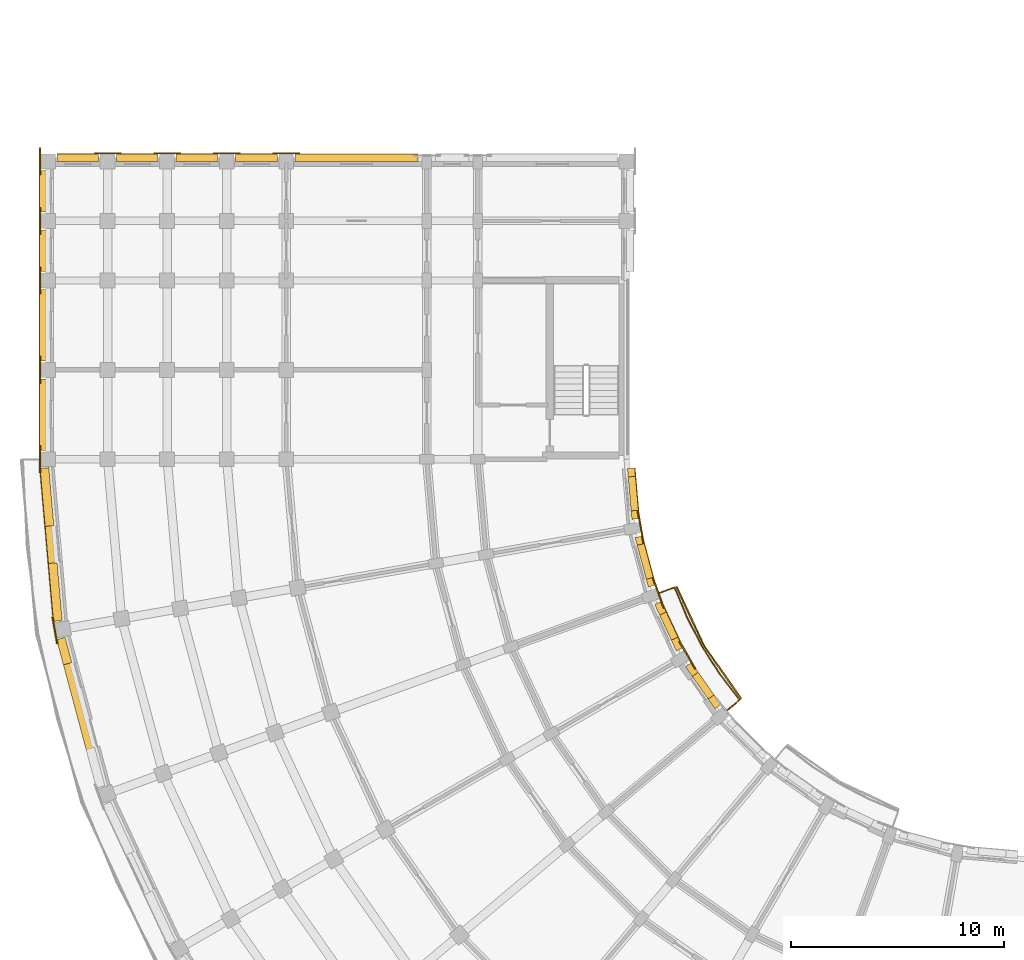
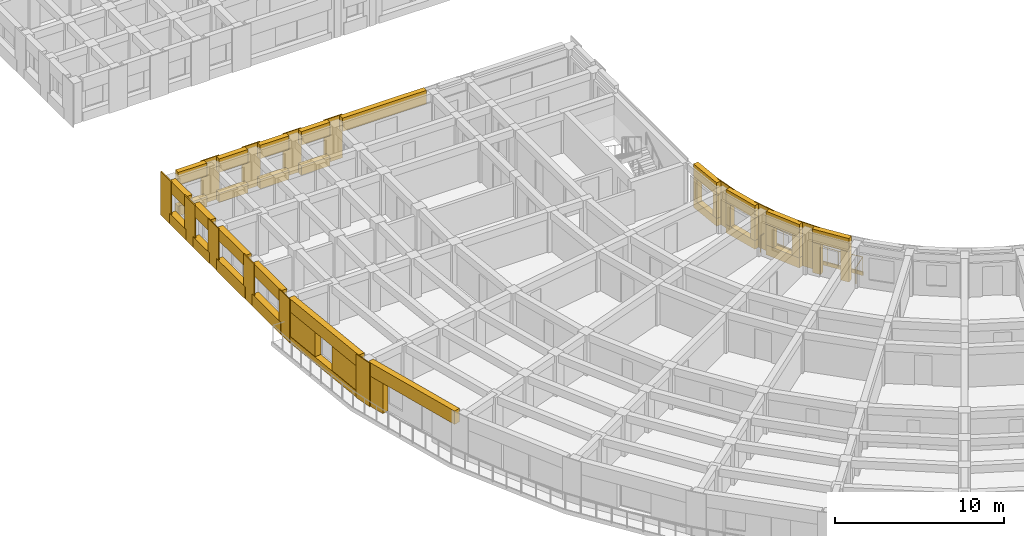
# One storey, part 43 of 57: 52 coverings, 1 railing.
"""IFC4 building model written with IfcOpenShell, lengths in metres."""

from ifc_helpers import new_model, si_unit, direction, frame, origin, origin_2d, place, context, subcontext, project, spatial, polyline, circle, outline, extrude, material, layer, layer_set, type_object, element, save


model = new_model("IFC4")

# Units and contexts
model_context = context("Model", 3, precision=1e-05, world=origin(), true_north=direction((0.0, 1.0)))
body_context = subcontext(model_context, "Body", "Model", "MODEL_VIEW")
ifc_project = project(units=[si_unit("LENGTHUNIT", "METRE"), si_unit("AREAUNIT", "SQUARE_METRE"), si_unit("VOLUMEUNIT", "CUBIC_METRE"), si_unit("PLANEANGLEUNIT", "RADIAN"), si_unit("MASSUNIT", "GRAM", prefix="KILO")], contexts=[model_context])

# Site, building, storey
site_placement = place(None, origin())
site = spatial("IfcSite", under=ifc_project, at=site_placement, CompositionType="ELEMENT")
building_placement = place(site_placement, origin())
building = spatial("IfcBuilding", under=site, at=building_placement, Name="Kiranvali Square Residences", CompositionType="ELEMENT")
storey_placement = place(building_placement, frame((0.0, 0.0, 18.14990234375)))
storey = spatial("IfcBuildingStorey", under=building, at=storey_placement, Name="L05", CompositionType="ELEMENT", Elevation=18.14990234375)

# Coverings
ifc_material_1 = material(Name="Carved Porbandar limestone classical entablature and cornice", Category="masonry")
ifc_layer_1 = layer(ifc_material_1, 0.06201171875)
ifc_layer_set_1 = layer_set([ifc_layer_1], Name="Carved Porbandar limestone classical entablature and cornice")
covering_type_1 = type_object("IfcCoveringType", Name="COV-CLAD-GBAL", PredefinedType="CLADDING", material=ifc_layer_set_1)
covering_1_placement = place(storey_placement, frame((0.0, 0.0, -0.219970703125)))
element("IfcCovering", 1, at=covering_1_placement, inside=storey, type_object=covering_type_1, Name="Block C L05 garden balcony limestone fascia 2", PredefinedType="CLADDING", context=body_context, shape_type="SweptSolid", body=[
    extrude(outline(polyline([(34.8095703125, 36.964111328125), (33.061767578125, 39.4599609375), (31.774169921875, 42.221435546875), (31.710205078125, 42.1982421875), (33.0029296875, 39.426025390625), (34.757568359375, 36.92041015625), (34.8095703125, 36.964111328125)])), origin(), (0.0, 0.0, 1.0), 0.27001953125),
])
ifc_material_2 = material(Name="Honed Porbandar limestone ashlar facade cladding", Category="masonry")
ifc_layer_2 = layer(ifc_material_2, 0.3798828125)
ifc_layer_set_2 = layer_set([ifc_layer_2], Name="Honed Porbandar limestone ashlar facade cladding")
covering_type_2 = type_object("IfcCoveringType", Name="COV-CLAD-JAMB", PredefinedType="CLADDING", material=ifc_layer_set_2)
covering_2_placement = place(storey_placement, origin())
element("IfcCovering", 2, at=covering_2_placement, inside=storey, type_object=covering_type_2, Name="L05 deep limestone window jamb reveal C-L05-CRV-07.R", PredefinedType="CLADDING", context=body_context, shape_type="SweptSolid", body=[
    extrude(outline(polyline([(3.3193359375, 38.640625), (3.001953125, 39.82568359375), (2.6064453125, 39.7197265625), (2.923828125, 38.53466796875), (3.3193359375, 38.640625)])), origin(), (0.0, 0.0, 1.0), 2.18017578125),
])
covering_3_placement = place(storey_placement, frame((0.0, 0.0, 0.462158203125)))
element("IfcCovering", 3, at=covering_3_placement, inside=storey, type_object=covering_type_2, Name="L05 deep limestone window jamb reveal C-L05-CRV-08.L", PredefinedType="CLADDING", context=body_context, shape_type="SweptSolid", body=[
    extrude(outline(polyline([(2.863525390625, 40.610595703125), (2.625244140625, 43.33447265625), (2.21728515625, 43.298583984375), (2.45556640625, 40.574951171875), (2.863525390625, 40.610595703125)])), origin(), (0.0, 0.0, 1.0), 1.75),
])
covering_4_placement = place(storey_placement, frame((0.0, 0.0, 0.462158203125)))
element("IfcCovering", 4, at=covering_4_placement, inside=storey, type_object=covering_type_2, Name="L05 deep limestone window jamb reveal C-L05-CRV-08.R", PredefinedType="CLADDING", context=body_context, shape_type="SweptSolid", body=[
    extrude(outline(polyline([(2.47265625, 45.07763671875), (2.234375, 47.801513671875), (1.826416015625, 47.765869140625), (2.064697265625, 45.0419921875), (2.47265625, 45.07763671875)])), origin(), (0.0, 0.0, 1.0), 1.75),
])
covering_5_placement = place(storey_placement, origin())
element("IfcCovering", 5, at=covering_5_placement, inside=storey, type_object=covering_type_2, Name="L05 deep limestone window jamb reveal C-L05-GDN-05.L", PredefinedType="CLADDING", context=body_context, shape_type="SweptSolid", body=[
    extrude(outline(polyline([(33.824462890625, 36.671142578125), (33.509765625, 37.120361328125), (33.231689453125, 36.925537109375), (33.54638671875, 36.476318359375), (33.824462890625, 36.671142578125)])), origin(), (0.0, 0.0, 1.0), 2.18017578125),
])
covering_6_placement = place(storey_placement, origin())
element("IfcCovering", 6, at=covering_6_placement, inside=storey, type_object=covering_type_2, Name="L05 deep limestone window jamb reveal C-L05-GDN-05.R", PredefinedType="CLADDING", context=body_context, shape_type="SweptSolid", body=[
    extrude(outline(polyline([(32.76416015625, 38.185302734375), (32.44970703125, 38.634521484375), (32.171630859375, 38.43994140625), (32.486083984375, 37.990478515625), (32.76416015625, 38.185302734375)])), origin(), (0.0, 0.0, 1.0), 2.18017578125),
])
covering_7_placement = place(storey_placement, frame((0.0, 0.0, 0.72216796875)))
element("IfcCovering", 7, at=covering_7_placement, inside=storey, type_object=covering_type_2, Name="L05 deep limestone window jamb reveal C-L05-GDN-06.L", PredefinedType="CLADDING", context=body_context, shape_type="SweptSolid", body=[
    extrude(outline(polyline([(32.041015625, 39.342529296875), (31.80908203125, 39.839599609375), (31.50146484375, 39.696044921875), (31.733154296875, 39.198974609375), (32.041015625, 39.342529296875)])), origin(), (0.0, 0.0, 1.0), 1.5),
])
covering_8_placement = place(storey_placement, frame((0.0, 0.0, 0.72216796875)))
element("IfcCovering", 8, at=covering_8_placement, inside=storey, type_object=covering_type_2, Name="L05 deep limestone window jamb reveal C-L05-GDN-06.R", PredefinedType="CLADDING", context=body_context, shape_type="SweptSolid", body=[
    extrude(outline(polyline([(31.259765625, 41.017822265625), (31.02783203125, 41.514892578125), (30.72021484375, 41.37158203125), (30.951904296875, 40.874267578125), (31.259765625, 41.017822265625)])), origin(), (0.0, 0.0, 1.0), 1.5),
])
covering_9_placement = place(storey_placement, frame((0.0, 0.0, 0.6220703125)))
element("IfcCovering", 9, at=covering_9_placement, inside=storey, type_object=covering_type_2, Name="L05 deep limestone window jamb reveal C-L05-GDN-07.L", PredefinedType="CLADDING", context=body_context, shape_type="SweptSolid", body=[
    extrude(outline(polyline([(30.748291015625, 42.282958984375), (30.651611328125, 42.643798828125), (30.32373046875, 42.555908203125), (30.42041015625, 42.195068359375), (30.748291015625, 42.282958984375)])), origin(), (0.0, 0.0, 1.0), 1.60009765625),
])
covering_10_placement = place(storey_placement, frame((0.0, 0.0, 0.6220703125)))
element("IfcCovering", 10, at=covering_10_placement, inside=storey, type_object=covering_type_2, Name="L05 deep limestone window jamb reveal C-L05-GDN-07.R", PredefinedType="CLADDING", context=body_context, shape_type="SweptSolid", body=[
    extrude(outline(polyline([(30.224609375, 44.237548828125), (30.1279296875, 44.598388671875), (29.800048828125, 44.510498046875), (29.896728515625, 44.149658203125), (30.224609375, 44.237548828125)])), origin(), (0.0, 0.0, 1.0), 1.60009765625),
])
covering_11_placement = place(storey_placement, frame((0.0, 0.0, 0.572021484375)))
element("IfcCovering", 11, at=covering_11_placement, inside=storey, type_object=covering_type_2, Name="L05 deep limestone window jamb reveal C-L05-GDN-08.L", PredefinedType="CLADDING", context=body_context, shape_type="SweptSolid", body=[
    extrude(outline(polyline([(29.986083984375, 45.4033203125), (29.951171875, 45.80029296875), (29.613037109375, 45.770751953125), (29.647705078125, 45.373779296875), (29.986083984375, 45.4033203125)])), origin(), (0.0, 0.0, 1.0), 1.650146484375),
])
covering_12_placement = place(storey_placement, frame((0.0, 0.0, 0.572021484375)))
element("IfcCovering", 12, at=covering_12_placement, inside=storey, type_object=covering_type_2, Name="L05 deep limestone window jamb reveal C-L05-GDN-08.R", PredefinedType="CLADDING", context=body_context, shape_type="SweptSolid", body=[
    extrude(outline(polyline([(29.811767578125, 47.394287109375), (29.777099609375, 47.791259765625), (29.43896484375, 47.76171875), (29.4736328125, 47.36474609375), (29.811767578125, 47.394287109375)])), origin(), (0.0, 0.0, 1.0), 1.650146484375),
])
ifc_layer_3 = layer(ifc_material_2, 0.06494140625)
ifc_layer_set_3 = layer_set([ifc_layer_3], Name="Honed Porbandar limestone ashlar facade cladding")
covering_type_3 = type_object("IfcCoveringType", Name="COV-CLAD-PIER", PredefinedType="CLADDING", material=ifc_layer_set_3)
covering_13_placement = place(storey_placement, frame((0.0, 0.0, 0.005126953125)))
element("IfcCovering", 13, at=covering_13_placement, inside=storey, type_object=covering_type_3, Name="L05 Classical limestone corner pilaster CLAD-PR-C-L05-A08", PredefinedType="CLADDING", context=body_context, shape_type="SweptSolid", body=[
    extrude(outline(polyline([(2.377685546875, 40.760009765625), (2.5966796875, 39.519287109375), (2.6630859375, 39.531005859375), (2.4443359375, 40.771728515625), (2.377685546875, 40.760009765625)])), origin(), (0.0, 0.0, 1.0), 3.139892578125),
])
covering_14_placement = place(storey_placement, frame((0.0, 0.0, 0.005126953125)))
element("IfcCovering", 14, at=covering_14_placement, inside=storey, type_object=covering_type_3, Name="L05 Classical limestone corner pilaster CLAD-PR-C-L05-A09", PredefinedType="CLADDING", context=body_context, shape_type="SweptSolid", body=[
    extrude(outline(polyline([(1.781982421875, 48.830078125), (1.781982421875, 47.570068359375), (1.849609375, 47.570068359375), (1.849609375, 48.830078125), (1.781982421875, 48.830078125)])), origin(), (0.0, 0.0, 1.0), 3.139892578125),
])
covering_15_placement = place(storey_placement, frame((0.0, 0.0, 0.005126953125)))
element("IfcCovering", 15, at=covering_15_placement, inside=storey, type_object=covering_type_3, Name="L05 Classical limestone pilaster casing CLAD-PR-C-L05-V42", PredefinedType="CLADDING", context=body_context, shape_type="SweptSolid", body=[
    extrude(outline(polyline([(1.849609375, 51.77001953125), (1.849609375, 53.030029296875), (1.781982421875, 53.030029296875), (1.781982421875, 51.77001953125), (1.849609375, 51.77001953125)])), origin(), (0.0, 0.0, 1.0), 3.139892578125),
])
covering_16_placement = place(storey_placement, frame((0.0, 0.0, 0.005126953125)))
element("IfcCovering", 16, at=covering_16_placement, inside=storey, type_object=covering_type_3, Name="L05 Classical limestone pilaster casing CLAD-PR-C-L05-V84", PredefinedType="CLADDING", context=body_context, shape_type="SweptSolid", body=[
    extrude(outline(polyline([(1.849609375, 55.969970703125), (1.849609375, 57.22998046875), (1.781982421875, 57.22998046875), (1.781982421875, 55.969970703125), (1.849609375, 55.969970703125)])), origin(), (0.0, 0.0, 1.0), 3.139892578125),
])
covering_17_placement = place(storey_placement, frame((0.0, 0.0, 0.005126953125)))
element("IfcCovering", 17, at=covering_17_placement, inside=storey, type_object=covering_type_3, Name="L05 Classical limestone pilaster casing CLAD-PR-C-L05-V112", PredefinedType="CLADDING", context=body_context, shape_type="SweptSolid", body=[
    extrude(outline(polyline([(1.849609375, 58.77001953125), (1.849609375, 60.030029296875), (1.781982421875, 60.030029296875), (1.781982421875, 58.77001953125), (1.849609375, 58.77001953125)])), origin(), (0.0, 0.0, 1.0), 3.139892578125),
])
covering_18_placement = place(storey_placement, frame((0.0, 0.0, 0.005126953125)))
element("IfcCovering", 18, at=covering_18_placement, inside=storey, type_object=covering_type_3, Name="L05 Classical limestone pilaster casing CLAD-PR-C-L05-V140", PredefinedType="CLADDING", context=body_context, shape_type="SweptSolid", body=[
    extrude(outline(polyline([(1.849609375, 61.570068359375), (1.849609375, 62.830078125), (1.781982421875, 62.830078125), (1.781982421875, 61.570068359375), (1.849609375, 61.570068359375)])), origin(), (0.0, 0.0, 1.0), 3.139892578125),
])
ifc_layer_4 = layer(ifc_material_2, 0.050048828125)
ifc_layer_set_4 = layer_set([ifc_layer_4], Name="Honed Porbandar limestone ashlar facade cladding")
covering_type_4 = type_object("IfcCoveringType", Name="COV-CLAD-PIER-IN", PredefinedType="CLADDING", material=ifc_layer_set_4)
covering_19_placement = place(storey_placement, frame((0.0, 0.0, 0.005126953125)))
element("IfcCovering", 19, at=covering_19_placement, inside=storey, type_object=covering_type_4, Name="L05 Classical garden courtyard pilaster CLAD-PRIN-C-L05-A06", PredefinedType="CLADDING", context=body_context, shape_type="SweptSolid", body=[
    extrude(outline(polyline([(32.65576171875, 38.359375), (31.90576171875, 39.658447265625), (31.84716796875, 39.624755859375), (32.59716796875, 38.32568359375), (32.65576171875, 38.359375)])), origin(), (0.0, 0.0, 1.0), 3.139892578125),
])
covering_20_placement = place(storey_placement, frame((0.0, 0.0, 0.005126953125)))
element("IfcCovering", 20, at=covering_20_placement, inside=storey, type_object=covering_type_4, Name="L05 Classical garden courtyard pilaster CLAD-PRIN-C-L05-A07", PredefinedType="CLADDING", context=body_context, shape_type="SweptSolid", body=[
    extrude(outline(polyline([(31.18310546875, 41.208251953125), (30.670166015625, 42.61767578125), (30.606689453125, 42.5947265625), (31.11962890625, 41.18505859375), (31.18310546875, 41.208251953125)])), origin(), (0.0, 0.0, 1.0), 3.139892578125),
])
covering_21_placement = place(storey_placement, frame((0.0, 0.0, 0.005126953125)))
element("IfcCovering", 21, at=covering_21_placement, inside=storey, type_object=covering_type_4, Name="L05 Classical garden courtyard pilaster CLAD-PRIN-C-L05-A08", PredefinedType="CLADDING", context=body_context, shape_type="SweptSolid", body=[
    extrude(outline(polyline([(30.2275390625, 44.269287109375), (29.967041015625, 45.74658203125), (29.900634765625, 45.73486328125), (30.1611328125, 44.257568359375), (30.2275390625, 44.269287109375)])), origin(), (0.0, 0.0, 1.0), 3.139892578125),
])
ifc_layer_5 = layer(ifc_material_2, 0.054931640625)
ifc_layer_set_5 = layer_set([ifc_layer_5], Name="Honed Porbandar limestone ashlar facade cladding")
covering_type_5 = type_object("IfcCoveringType", Name="COV-CLAD-PIER-UP", PredefinedType="CLADDING", material=ifc_layer_set_5)
covering_22_placement = place(storey_placement, frame((0.0, 0.0, 0.005126953125)))
element("IfcCovering", 22, at=covering_22_placement, inside=storey, type_object=covering_type_5, Name="L05 Classical limestone pilaster casing CLAD-PRA2E-C-L05-R348", PredefinedType="CLADDING", context=body_context, shape_type="SweptSolid", body=[
    extrude(outline(polyline([(14.030029296875, 62.617919921875), (12.77001953125, 62.617919921875), (12.77001953125, 62.550537109375), (14.030029296875, 62.550537109375), (14.030029296875, 62.617919921875)])), origin(), (0.0, 0.0, 1.0), 3.139892578125),
])
covering_23_placement = place(storey_placement, frame((0.0, 0.0, 0.005126953125)))
element("IfcCovering", 23, at=covering_23_placement, inside=storey, type_object=covering_type_5, Name="L05 Classical limestone pilaster casing CLAD-PRA2E-C-L05-R376", PredefinedType="CLADDING", context=body_context, shape_type="SweptSolid", body=[
    extrude(outline(polyline([(11.22998046875, 62.617919921875), (9.969970703125, 62.617919921875), (9.969970703125, 62.550537109375), (11.22998046875, 62.550537109375), (11.22998046875, 62.617919921875)])), origin(), (0.0, 0.0, 1.0), 3.139892578125),
])
covering_24_placement = place(storey_placement, frame((0.0, 0.0, 0.005126953125)))
element("IfcCovering", 24, at=covering_24_placement, inside=storey, type_object=covering_type_5, Name="L05 Classical limestone pilaster casing CLAD-PRA2E-C-L05-R404", PredefinedType="CLADDING", context=body_context, shape_type="SweptSolid", body=[
    extrude(outline(polyline([(8.429931640625, 62.617919921875), (7.169921875, 62.617919921875), (7.169921875, 62.550537109375), (8.429931640625, 62.550537109375), (8.429931640625, 62.617919921875)])), origin(), (0.0, 0.0, 1.0), 3.139892578125),
])
covering_25_placement = place(storey_placement, frame((0.0, 0.0, 0.005126953125)))
element("IfcCovering", 25, at=covering_25_placement, inside=storey, type_object=covering_type_5, Name="L05 Classical limestone pilaster casing CLAD-PRA2E-C-L05-R432", PredefinedType="CLADDING", context=body_context, shape_type="SweptSolid", body=[
    extrude(outline(polyline([(5.6298828125, 62.617919921875), (4.3701171875, 62.617919921875), (4.3701171875, 62.550537109375), (5.6298828125, 62.550537109375), (5.6298828125, 62.617919921875)])), origin(), (0.0, 0.0, 1.0), 3.139892578125),
])
ifc_layer_6 = layer(ifc_material_2, 0.360107421875)
ifc_layer_set_6 = layer_set([ifc_layer_6], Name="Honed Porbandar limestone ashlar facade cladding")
covering_type_6 = type_object("IfcCoveringType", Name="COV-CLAD-WALL", PredefinedType="CLADDING", material=ifc_layer_set_6)
covering_26_placement = place(storey_placement, frame((0.0, 0.0, 2.18017578125)))
element("IfcCovering", 26, at=covering_26_placement, inside=storey, type_object=covering_type_6, Name="L05 light limestone spandrel lintel C-L05-CRV-07", PredefinedType="CLADDING", context=body_context, shape_type="SweptSolid", body=[
    extrude(outline(polyline([(4.8701171875, 32.853271484375), (3.001953125, 39.82568359375), (2.6064453125, 39.7197265625), (4.474609375, 32.747314453125), (4.8701171875, 32.853271484375)])), origin(), (0.0, 0.0, 1.0), 0.96484375),
])
covering_27_placement = place(storey_placement, frame((0.0, 0.0, 2.212158203125)))
element("IfcCovering", 27, at=covering_27_placement, inside=storey, type_object=covering_type_6, Name="L05 light limestone spandrel lintel C-L05-CRV-08", PredefinedType="CLADDING", context=body_context, shape_type="SweptSolid", body=[
    extrude(outline(polyline([(2.863525390625, 40.610595703125), (2.234375, 47.801513671875), (1.826416015625, 47.765869140625), (2.45556640625, 40.574951171875), (2.863525390625, 40.610595703125)])), origin(), (0.0, 0.0, 1.0), 0.932861328125),
])
covering_28_placement = place(storey_placement, frame((0.0, 0.0, 0.005126953125)))
element("IfcCovering", 28, at=covering_28_placement, inside=storey, type_object=covering_type_6, Name="L05 limestone window sill apron C-L05-CRV-08", PredefinedType="CLADDING", context=body_context, shape_type="SweptSolid", body=[
    extrude(outline(polyline([(2.863525390625, 40.610595703125), (2.234375, 47.801513671875), (1.796630859375, 47.76318359375), (2.42578125, 40.572265625), (2.863525390625, 40.610595703125)])), origin(), (0.0, 0.0, 1.0), 0.45703125),
])
covering_29_placement = place(storey_placement, frame((0.0, 0.0, 2.18017578125)))
element("IfcCovering", 29, at=covering_29_placement, inside=storey, type_object=covering_type_6, Name="L05 light limestone spandrel lintel C-L05-GDN-05", PredefinedType="CLADDING", context=body_context, shape_type="SweptSolid", body=[
    extrude(outline(polyline([(33.824462890625, 36.671142578125), (32.44970703125, 38.634521484375), (32.171630859375, 38.43994140625), (33.54638671875, 36.476318359375), (33.824462890625, 36.671142578125)])), origin(), (0.0, 0.0, 1.0), 0.96484375),
])
covering_30_placement = place(storey_placement, frame((0.0, 0.0, 2.22216796875)))
element("IfcCovering", 30, at=covering_30_placement, inside=storey, type_object=covering_type_6, Name="L05 light limestone spandrel lintel C-L05-GDN-06", PredefinedType="CLADDING", context=body_context, shape_type="SweptSolid", body=[
    extrude(outline(polyline([(32.041015625, 39.342529296875), (31.02783203125, 41.514892578125), (30.72021484375, 41.37158203125), (31.733154296875, 39.198974609375), (32.041015625, 39.342529296875)])), origin(), (0.0, 0.0, 1.0), 0.9228515625),
])
covering_31_placement = place(storey_placement, frame((0.0, 0.0, 2.22216796875)))
element("IfcCovering", 31, at=covering_31_placement, inside=storey, type_object=covering_type_6, Name="L05 light limestone spandrel lintel C-L05-GDN-07", PredefinedType="CLADDING", context=body_context, shape_type="SweptSolid", body=[
    extrude(outline(polyline([(30.748291015625, 42.282958984375), (30.1279296875, 44.598388671875), (29.800048828125, 44.510498046875), (30.42041015625, 42.195068359375), (30.748291015625, 42.282958984375)])), origin(), (0.0, 0.0, 1.0), 0.9228515625),
])
covering_32_placement = place(storey_placement, frame((0.0, 0.0, 2.22216796875)))
element("IfcCovering", 32, at=covering_32_placement, inside=storey, type_object=covering_type_6, Name="L05 light limestone spandrel lintel C-L05-GDN-08", PredefinedType="CLADDING", context=body_context, shape_type="SweptSolid", body=[
    extrude(outline(polyline([(29.986083984375, 45.4033203125), (29.777099609375, 47.791259765625), (29.43896484375, 47.76171875), (29.647705078125, 45.373779296875), (29.986083984375, 45.4033203125)])), origin(), (0.0, 0.0, 1.0), 0.9228515625),
])
covering_33_placement = place(storey_placement, frame((0.0, 0.0, 2.280029296875)))
element("IfcCovering", 33, at=covering_33_placement, inside=storey, type_object=covering_type_6, Name="L05 light limestone spandrel lintel C-L05-A2O-0", PredefinedType="CLADDING", context=body_context, shape_type="SweptSolid", body=[
    extrude(outline(polyline([(2.199462890625, 48.6201171875), (2.199462890625, 51.97998046875), (1.800048828125, 51.97998046875), (1.800048828125, 48.6201171875), (2.199462890625, 48.6201171875)])), origin(), (0.0, 0.0, 1.0), 0.864990234375),
])
covering_34_placement = place(storey_placement, frame((0.0, 0.0, 0.005126953125)))
element("IfcCovering", 34, at=covering_34_placement, inside=storey, type_object=covering_type_6, Name="L05 limestone window sill apron C-L05-A2O-0", PredefinedType="CLADDING", context=body_context, shape_type="SweptSolid", body=[
    extrude(outline(polyline([(2.199462890625, 48.6201171875), (2.199462890625, 51.97998046875), (1.77001953125, 51.97998046875), (1.77001953125, 48.6201171875), (2.199462890625, 48.6201171875)])), origin(), (0.0, 0.0, 1.0), 0.875),
])
covering_35_placement = place(storey_placement, frame((0.0, 0.0, 2.280029296875)))
element("IfcCovering", 35, at=covering_35_placement, inside=storey, type_object=covering_type_6, Name="L05 light limestone spandrel lintel C-L05-A2O-1", PredefinedType="CLADDING", context=body_context, shape_type="SweptSolid", body=[
    extrude(outline(polyline([(2.199462890625, 52.820068359375), (2.199462890625, 56.179931640625), (1.800048828125, 56.179931640625), (1.800048828125, 52.820068359375), (2.199462890625, 52.820068359375)])), origin(), (0.0, 0.0, 1.0), 0.864990234375),
])
covering_36_placement = place(storey_placement, frame((0.0, 0.0, 0.005126953125)))
element("IfcCovering", 36, at=covering_36_placement, inside=storey, type_object=covering_type_6, Name="L05 limestone window sill apron C-L05-A2O-1", PredefinedType="CLADDING", context=body_context, shape_type="SweptSolid", body=[
    extrude(outline(polyline([(2.199462890625, 52.820068359375), (2.199462890625, 56.179931640625), (1.77001953125, 56.179931640625), (1.77001953125, 52.820068359375), (2.199462890625, 52.820068359375)])), origin(), (0.0, 0.0, 1.0), 0.875),
])
covering_37_placement = place(storey_placement, frame((0.0, 0.0, 2.280029296875)))
element("IfcCovering", 37, at=covering_37_placement, inside=storey, type_object=covering_type_6, Name="L05 light limestone spandrel lintel C-L05-A2O-2", PredefinedType="CLADDING", context=body_context, shape_type="SweptSolid", body=[
    extrude(outline(polyline([(2.199462890625, 57.02001953125), (2.199462890625, 58.97998046875), (1.800048828125, 58.97998046875), (1.800048828125, 57.02001953125), (2.199462890625, 57.02001953125)])), origin(), (0.0, 0.0, 1.0), 0.864990234375),
])
covering_38_placement = place(storey_placement, frame((0.0, 0.0, 0.005126953125)))
element("IfcCovering", 38, at=covering_38_placement, inside=storey, type_object=covering_type_6, Name="L05 limestone window sill apron C-L05-A2O-2", PredefinedType="CLADDING", context=body_context, shape_type="SweptSolid", body=[
    extrude(outline(polyline([(2.199462890625, 57.02001953125), (2.199462890625, 58.97998046875), (1.77001953125, 58.97998046875), (1.77001953125, 57.02001953125), (2.199462890625, 57.02001953125)])), origin(), (0.0, 0.0, 1.0), 0.77490234375),
])
covering_39_placement = place(storey_placement, frame((0.0, 0.0, 2.280029296875)))
element("IfcCovering", 39, at=covering_39_placement, inside=storey, type_object=covering_type_6, Name="L05 light limestone spandrel lintel C-L05-A2O-3", PredefinedType="CLADDING", context=body_context, shape_type="SweptSolid", body=[
    extrude(outline(polyline([(2.199462890625, 59.820068359375), (2.199462890625, 61.780029296875), (1.800048828125, 61.780029296875), (1.800048828125, 59.820068359375), (2.199462890625, 59.820068359375)])), origin(), (0.0, 0.0, 1.0), 0.864990234375),
])
covering_40_placement = place(storey_placement, frame((0.0, 0.0, 0.005126953125)))
element("IfcCovering", 40, at=covering_40_placement, inside=storey, type_object=covering_type_6, Name="L05 limestone window sill apron C-L05-A2O-3", PredefinedType="CLADDING", context=body_context, shape_type="SweptSolid", body=[
    extrude(outline(polyline([(2.199462890625, 59.820068359375), (2.199462890625, 61.780029296875), (1.77001953125, 61.780029296875), (1.77001953125, 59.820068359375), (2.199462890625, 59.820068359375)])), origin(), (0.0, 0.0, 1.0), 0.77490234375),
])
covering_41_placement = place(storey_placement, frame((0.0, 0.0, 2.172119140625)))
element("IfcCovering", 41, at=covering_41_placement, inside=storey, type_object=covering_type_6, Name="L05 light limestone spandrel lintel C-L05-A2END-2", PredefinedType="CLADDING", context=body_context, shape_type="SweptSolid", body=[
    extrude(outline(polyline([(19.580078125, 62.5400390625), (13.820068359375, 62.5400390625), (13.820068359375, 62.200439453125), (19.580078125, 62.200439453125), (19.580078125, 62.5400390625)])), origin(), (0.0, 0.0, 1.0), 0.972900390625),
])
covering_42_placement = place(storey_placement, frame((0.0, 0.0, 2.172119140625)))
element("IfcCovering", 42, at=covering_42_placement, inside=storey, type_object=covering_type_6, Name="L05 light limestone spandrel lintel C-L05-A2END-3", PredefinedType="CLADDING", context=body_context, shape_type="SweptSolid", body=[
    extrude(outline(polyline([(12.97998046875, 62.5400390625), (11.02001953125, 62.5400390625), (11.02001953125, 62.200439453125), (12.97998046875, 62.200439453125), (12.97998046875, 62.5400390625)])), origin(), (0.0, 0.0, 1.0), 0.972900390625),
])
covering_43_placement = place(storey_placement, frame((0.0, 0.0, 0.005126953125)))
element("IfcCovering", 43, at=covering_43_placement, inside=storey, type_object=covering_type_6, Name="L05 limestone window sill apron C-L05-A2END-3", PredefinedType="CLADDING", context=body_context, shape_type="SweptSolid", body=[
    extrude(outline(polyline([(12.97998046875, 62.570068359375), (11.02001953125, 62.570068359375), (11.02001953125, 62.200439453125), (12.97998046875, 62.200439453125), (12.97998046875, 62.570068359375)])), origin(), (0.0, 0.0, 1.0), 0.6669921875),
])
covering_44_placement = place(storey_placement, frame((0.0, 0.0, 2.172119140625)))
element("IfcCovering", 44, at=covering_44_placement, inside=storey, type_object=covering_type_6, Name="L05 light limestone spandrel lintel C-L05-A2END-4", PredefinedType="CLADDING", context=body_context, shape_type="SweptSolid", body=[
    extrude(outline(polyline([(10.179931640625, 62.5400390625), (8.219970703125, 62.5400390625), (8.219970703125, 62.200439453125), (10.179931640625, 62.200439453125), (10.179931640625, 62.5400390625)])), origin(), (0.0, 0.0, 1.0), 0.972900390625),
])
covering_45_placement = place(storey_placement, frame((0.0, 0.0, 0.005126953125)))
element("IfcCovering", 45, at=covering_45_placement, inside=storey, type_object=covering_type_6, Name="L05 limestone window sill apron C-L05-A2END-4", PredefinedType="CLADDING", context=body_context, shape_type="SweptSolid", body=[
    extrude(outline(polyline([(10.179931640625, 62.570068359375), (8.219970703125, 62.570068359375), (8.219970703125, 62.200439453125), (10.179931640625, 62.200439453125), (10.179931640625, 62.570068359375)])), origin(), (0.0, 0.0, 1.0), 0.6669921875),
])
covering_46_placement = place(storey_placement, frame((0.0, 0.0, 2.172119140625)))
element("IfcCovering", 46, at=covering_46_placement, inside=storey, type_object=covering_type_6, Name="L05 light limestone spandrel lintel C-L05-A2END-5", PredefinedType="CLADDING", context=body_context, shape_type="SweptSolid", body=[
    extrude(outline(polyline([(7.3798828125, 62.5400390625), (5.419921875, 62.5400390625), (5.419921875, 62.200439453125), (7.3798828125, 62.200439453125), (7.3798828125, 62.5400390625)])), origin(), (0.0, 0.0, 1.0), 0.972900390625),
])
covering_47_placement = place(storey_placement, frame((0.0, 0.0, 0.005126953125)))
element("IfcCovering", 47, at=covering_47_placement, inside=storey, type_object=covering_type_6, Name="L05 limestone window sill apron C-L05-A2END-5", PredefinedType="CLADDING", context=body_context, shape_type="SweptSolid", body=[
    extrude(outline(polyline([(7.3798828125, 62.570068359375), (5.419921875, 62.570068359375), (5.419921875, 62.200439453125), (7.3798828125, 62.200439453125), (7.3798828125, 62.570068359375)])), origin(), (0.0, 0.0, 1.0), 0.6669921875),
])
covering_48_placement = place(storey_placement, frame((0.0, 0.0, 2.212158203125)))
element("IfcCovering", 48, at=covering_48_placement, inside=storey, type_object=covering_type_6, Name="L05 light limestone spandrel lintel C-L05-A2END-6", PredefinedType="CLADDING", context=body_context, shape_type="SweptSolid", body=[
    extrude(outline(polyline([(4.580078125, 62.5400390625), (2.6201171875, 62.5400390625), (2.6201171875, 62.200439453125), (4.580078125, 62.200439453125), (4.580078125, 62.5400390625)])), origin(), (0.0, 0.0, 1.0), 0.932861328125),
])
covering_49_placement = place(storey_placement, frame((0.0, 0.0, 0.005126953125)))
element("IfcCovering", 49, at=covering_49_placement, inside=storey, type_object=covering_type_6, Name="L05 limestone window sill apron C-L05-A2END-6", PredefinedType="CLADDING", context=body_context, shape_type="SweptSolid", body=[
    extrude(outline(polyline([(4.580078125, 62.570068359375), (2.6201171875, 62.570068359375), (2.6201171875, 62.200439453125), (4.580078125, 62.200439453125), (4.580078125, 62.570068359375)])), origin(), (0.0, 0.0, 1.0), 0.70703125),
])
ifc_layer_7 = layer(ifc_material_2, 0.2900390625)
ifc_layer_set_7 = layer_set([ifc_layer_7], Name="Honed Porbandar limestone ashlar facade cladding")
covering_type_7 = type_object("IfcCoveringType", Name="COV-CLAD-WALL-IN", PredefinedType="CLADDING", material=ifc_layer_set_7)
covering_50_placement = place(storey_placement, frame((0.0, 0.0, 0.005126953125)))
element("IfcCovering", 50, at=covering_50_placement, inside=storey, type_object=covering_type_7, Name="L05 limestone window sill apron C-L05-GDN-06", PredefinedType="CLADDING", context=body_context, shape_type="SweptSolid", body=[
    extrude(outline(polyline([(32.068115234375, 39.355224609375), (31.05517578125, 41.527587890625), (30.72021484375, 41.37158203125), (31.733154296875, 39.198974609375), (32.068115234375, 39.355224609375)])), origin(), (0.0, 0.0, 1.0), 0.717041015625),
])
covering_51_placement = place(storey_placement, frame((0.0, 0.0, 0.005126953125)))
element("IfcCovering", 51, at=covering_51_placement, inside=storey, type_object=covering_type_7, Name="L05 limestone window sill apron C-L05-GDN-07", PredefinedType="CLADDING", context=body_context, shape_type="SweptSolid", body=[
    extrude(outline(polyline([(30.77734375, 42.290771484375), (30.156982421875, 44.606201171875), (29.800048828125, 44.510498046875), (30.42041015625, 42.195068359375), (30.77734375, 42.290771484375)])), origin(), (0.0, 0.0, 1.0), 0.616943359375),
])
covering_52_placement = place(storey_placement, frame((0.0, 0.0, 0.005126953125)))
element("IfcCovering", 52, at=covering_52_placement, inside=storey, type_object=covering_type_7, Name="L05 limestone window sill apron C-L05-GDN-08", PredefinedType="CLADDING", context=body_context, shape_type="SweptSolid", body=[
    extrude(outline(polyline([(30.015869140625, 45.406005859375), (29.806884765625, 47.7939453125), (29.43896484375, 47.76171875), (29.647705078125, 45.373779296875), (30.015869140625, 45.406005859375)])), origin(), (0.0, 0.0, 1.0), 0.56689453125),
])

# Railing
ifc_material_3 = material(Name="Powder-coated architectural bronze balustrade", Category="steel")
railing_type = type_object("IfcRailingType", Name="RL-BAL-GOLD-1200", PredefinedType="BALUSTRADE", material=ifc_material_3)
railing_placement = place(storey_placement, frame((33.8291015625, 36.141357421875, 0.0)))
element("IfcRailing", 53, at=railing_placement, inside=storey, type_object=railing_type, Name="Block C L05 garden balcony gold balustrade 2", PredefinedType="BALUSTRADE", context=body_context, shape_type="SweptSolid", body=[
    extrude(circle(Radius=0.02392578125, at=origin_2d()), frame((0.0, 0.0, 1.17578125), z_axis=(0.765989188314, 0.642853454051, 0.0), x_axis=(-0.642853454051, 0.765989188314, 0.0)), (0.0, 0.0, 1.0), 1.14990234375),
    extrude(circle(Radius=0.02392578125, at=origin_2d()), frame((0.880859375, 0.7392578125, 1.17578125), z_axis=(-0.608811807471, 0.793314680996, 0.0), x_axis=(-0.793314680996, -0.608811807471, 0.0)), (0.0, 0.0, 1.0), 1.536376953125),
    extrude(circle(Radius=0.02392578125, at=origin_2d()), frame((-0.054443359375, 1.9580078125, 1.17578125), z_axis=(-0.537307309343, 0.843386539688, 0.0), x_axis=(-0.843386539688, -0.537307309343, 0.0)), (0.0, 0.0, 1.0), 1.5361328125),
    extrude(circle(Radius=0.02392578125, at=origin_2d()), frame((-0.8798828125, 3.253662109375, 1.17578125), z_axis=(-0.461713009976, 0.887029366154, 0.0), x_axis=(-0.887029366154, -0.461713009976, 0.0)), (0.0, 0.0, 1.0), 1.5361328125),
    extrude(circle(Radius=0.02392578125, at=origin_2d()), frame((-1.589111328125, 4.6162109375, 1.17578125), z_axis=(-0.382651197843, 0.923892883829, 0.0), x_axis=(-0.923892883829, -0.382651197843, 0.0)), (0.0, 0.0, 1.0), 1.536376953125),
    extrude(circle(Radius=0.02392578125, at=origin_2d()), frame((-2.177001953125, 6.03564453125, 1.17578125), z_axis=(-0.939712828289, -0.341964618562, 0.0), x_axis=(0.341964618562, -0.939712828289, 0.0)), (0.0, 0.0, 1.0), 1.150146484375),
    extrude(circle(Radius=0.02099609375, at=origin_2d()), origin(), (0.0, 0.0, 1.0), 1.15185546875),
    extrude(circle(Radius=0.02099609375, at=origin_2d()), frame((0.880859375, 0.7392578125, 0.0)), (0.0, 0.0, 1.0), 1.15185546875),
    extrude(circle(Radius=0.02099609375, at=origin_2d()), frame((0.4130859375, 1.3486328125, 0.0)), (0.0, 0.0, 1.0), 1.15185546875),
    extrude(circle(Radius=0.02099609375, at=origin_2d()), frame((-0.054443359375, 1.9580078125, 0.0)), (0.0, 0.0, 1.0), 1.15185546875),
    extrude(circle(Radius=0.02099609375, at=origin_2d()), frame((-0.46728515625, 2.60595703125, 0.0)), (0.0, 0.0, 1.0), 1.15185546875),
    extrude(circle(Radius=0.02099609375, at=origin_2d()), frame((-0.8798828125, 3.253662109375, 0.0)), (0.0, 0.0, 1.0), 1.15185546875),
    extrude(circle(Radius=0.02099609375, at=origin_2d()), frame((-1.234375, 3.93505859375, 0.0)), (0.0, 0.0, 1.0), 1.15185546875),
    extrude(circle(Radius=0.02099609375, at=origin_2d()), frame((-1.589111328125, 4.6162109375, 0.0)), (0.0, 0.0, 1.0), 1.15185546875),
    extrude(circle(Radius=0.02099609375, at=origin_2d()), frame((-1.883056640625, 5.325927734375, 0.0)), (0.0, 0.0, 1.0), 1.15185546875),
    extrude(circle(Radius=0.02099609375, at=origin_2d()), frame((-2.177001953125, 6.03564453125, 0.0)), (0.0, 0.0, 1.0), 1.15185546875),
    extrude(circle(Radius=0.02099609375, at=origin_2d()), frame((-3.2578125, 5.642333984375, 0.0)), (0.0, 0.0, 1.0), 1.15185546875),
])

save(model, "model.ifc")
